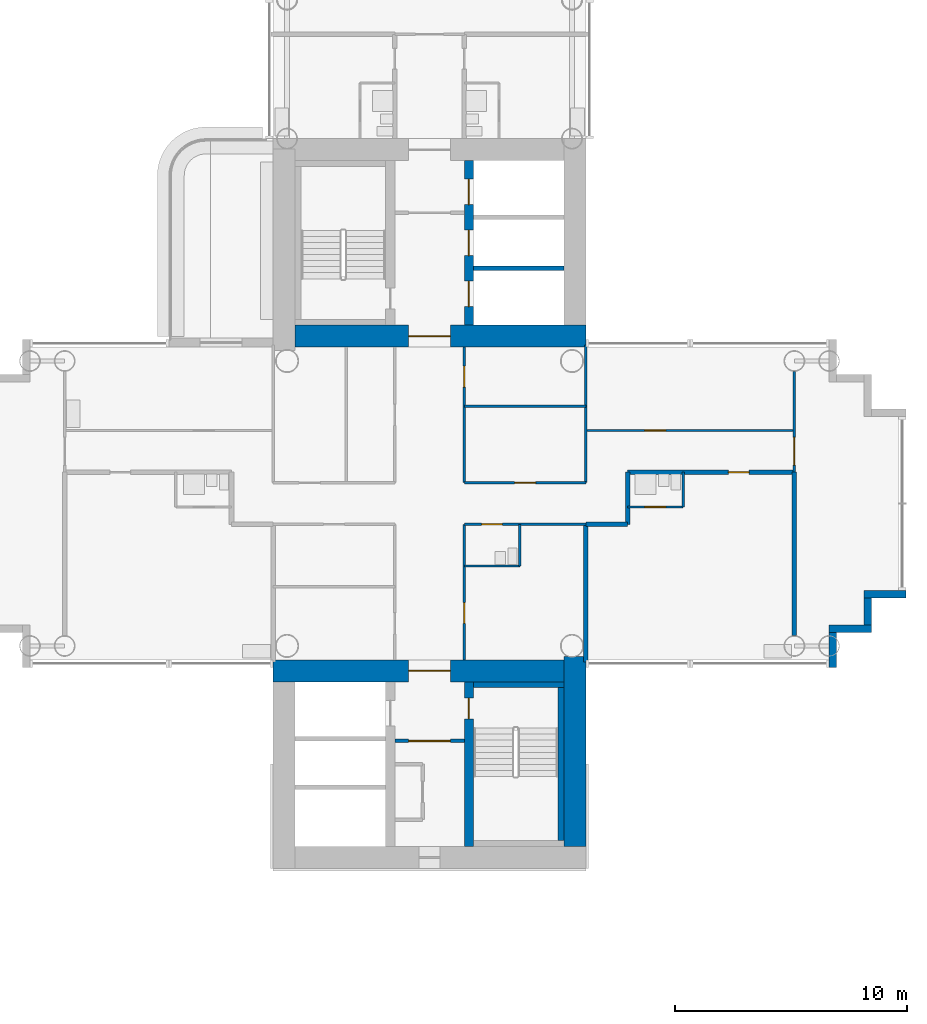
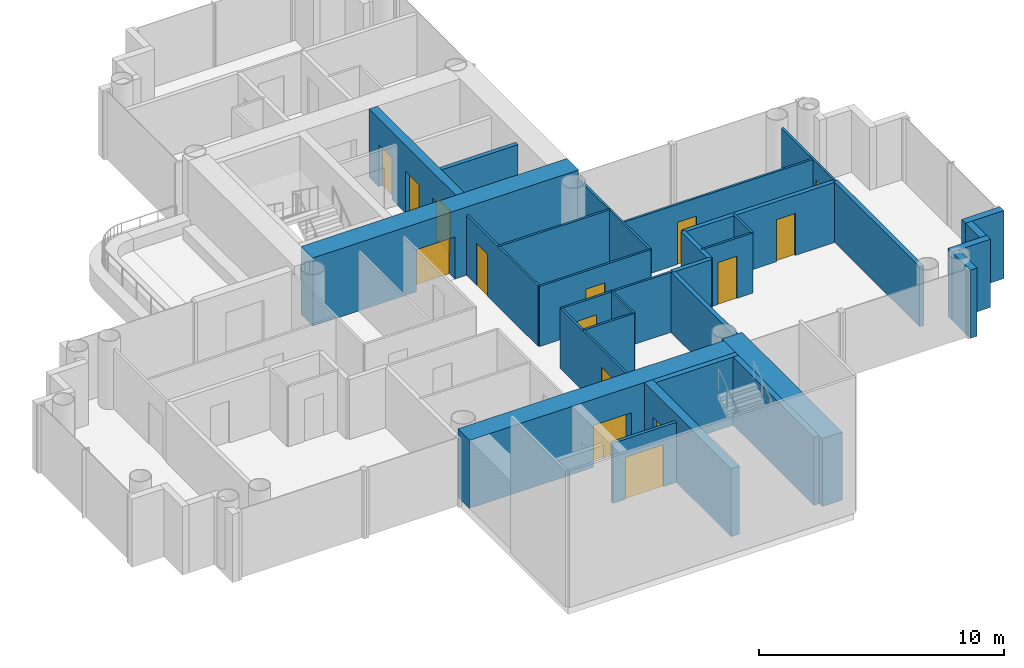
# One storey, part 13 of 21: 30 walls, 15 doors, 15 openings.
"""IFC4 building model written with IfcOpenShell, lengths in metres."""

from ifc_helpers import new_model, si_unit, direction, frame, frame_2d, origin, place, context, subcontext, project, spatial, rectangle, extrude, material, layer, layer_set, type_object, element, fill, save


model = new_model("IFC4")

# Units and contexts
model_context = context("Model", 3, precision=1e-05, world=origin(), true_north=direction((0.0, 1.0)))
body_context = subcontext(model_context, "Body", "Model", "MODEL_VIEW")
ifc_project = project(units=[si_unit("LENGTHUNIT", "METRE"), si_unit("AREAUNIT", "SQUARE_METRE"), si_unit("VOLUMEUNIT", "CUBIC_METRE"), si_unit("PLANEANGLEUNIT", "RADIAN"), si_unit("MASSUNIT", "GRAM", prefix="KILO")], contexts=[model_context])

# Site, building, storey
site_placement = place(None, origin())
site = spatial("IfcSite", under=ifc_project, at=site_placement, CompositionType="ELEMENT")
building_placement = place(site_placement, origin())
building = spatial("IfcBuilding", under=site, at=building_placement, Name="Ipe Terrace Towers", CompositionType="ELEMENT")
storey_placement = place(building_placement, frame((0.0, 0.0, 103.800048828125)))
storey = spatial("IfcBuildingStorey", under=building, at=storey_placement, Name="L28", CompositionType="ELEMENT", Elevation=103.800048828125)

# Walls
ifc_material_1 = material(Name="Concrete C40/50 with buff precast cladding", Category="concrete")
ifc_layer_1 = layer(ifc_material_1, 0.320068359375)
ifc_layer_set_1 = layer_set([ifc_layer_1], Name="BUFF CLADDING WALL 320")
wall_type_1 = type_object("IfcWallType", Name="BUFF CLADDING WALL 320", PredefinedType="STANDARD", material=ifc_layer_set_1)
wall_1_placement = place(storey_placement, frame((53.409912109375, -7.070068359375, -0.300048828125), z_axis=(0.0, 0.0, 1.0), x_axis=(0.0, 1.0, 0.0)))
element("IfcWall", 1, at=wall_1_placement, inside=storey, type_object=wall_type_1, Name="T2-W-L28-04a wall", PredefinedType="STANDARD", context=body_context, shape_type="SweptSolid", body=[
    extrude(rectangle(XDim=1.5, YDim=0.320068359375, at=frame_2d((0.75, 0.0))), origin(), (0.0, 0.0, 1.0), 3.39990234375),
])
wall_2_placement = place(storey_placement, frame((53.25, -5.409912109375, -0.300048828125), z_axis=(0.0, 0.0, 1.0), x_axis=(1.0, 0.0, 0.0)))
element("IfcWall", 2, at=wall_2_placement, inside=storey, type_object=wall_type_1, Name="T2-W-L28-05a wall", PredefinedType="STANDARD", context=body_context, shape_type="SweptSolid", body=[
    extrude(rectangle(XDim=1.820068359375, YDim=0.320068359375, at=frame_2d((0.91015625, 0.0))), origin(), (0.0, 0.0, 1.0), 3.39990234375),
])
wall_3_placement = place(storey_placement, frame((54.909912109375, -5.25, -0.300048828125), z_axis=(0.0, 0.0, 1.0), x_axis=(0.0, 1.0, 0.0)))
element("IfcWall", 3, at=wall_3_placement, inside=storey, type_object=wall_type_1, Name="T2-W-L28-06a wall", PredefinedType="STANDARD", context=body_context, shape_type="SweptSolid", body=[
    extrude(rectangle(XDim=1.179931640625, YDim=0.320068359375, at=frame_2d((0.58984375, 0.0))), origin(), (0.0, 0.0, 1.0), 3.39990234375),
])
wall_4_placement = place(storey_placement, frame((54.75, -3.909912109375, -0.300048828125), z_axis=(0.0, 0.0, 1.0), x_axis=(1.0, 0.0, 0.0)))
element("IfcWall", 4, at=wall_4_placement, inside=storey, type_object=wall_type_1, Name="T2-W-L28-07a wall", PredefinedType="STANDARD", context=body_context, shape_type="SweptSolid", body=[
    extrude(rectangle(XDim=1.820068359375, YDim=0.320068359375, at=frame_2d((0.91015625, 0.0))), origin(), (0.0, 0.0, 1.0), 3.39990234375),
])
ifc_material_2 = material(Name="Gypsum board partition", Category="plasterboard")
ifc_layer_2 = layer(ifc_material_2, 0.10009765625)
ifc_layer_set_2 = layer_set([ifc_layer_2], Name="Gypsum board partition 100 mm")
wall_type_2 = type_object("IfcWallType", Name="Gypsum board partition 100 mm", PredefinedType="PARTITIONING", material=ifc_layer_set_2)
wall_5_placement = place(storey_placement, frame((39.89990234375, -2.699951171875, 0.0), z_axis=(0.0, 0.0, 1.0), x_axis=(-1.0, 0.0, 0.0)))
element("IfcWall", 5, at=wall_5_placement, inside=storey, type_object=wall_type_2, Name="Gypsum board partition T2 L28 W02", PredefinedType="PARTITIONING", context=body_context, shape_type="SweptSolid", body=[
    extrude(rectangle(XDim=2.39990234375, YDim=0.10009765625, at=frame_2d((1.199951171875, 0.0))), origin(), (0.0, 0.0, 1.0), 3.0),
])

# Wall, opening, door
wall_6_placement = place(storey_placement, frame((42.75, -0.89990234375, 0.0), z_axis=(0.0, 0.0, 1.0), x_axis=(-1.0, 0.0, 0.0)))
wall_6 = element("IfcWall", 6, at=wall_6_placement, inside=storey, type_object=wall_type_2, Name="Gypsum board partition T2 L28 W03", PredefinedType="PARTITIONING", context=body_context, shape_type="SweptSolid", body=[
    extrude(rectangle(XDim=5.25, YDim=0.10009765625, at=frame_2d((2.625, 0.0))), origin(), (0.0, 0.0, 1.0), 3.0),
])
opening_1_placement = place(wall_6_placement, frame((3.60009765625, 0.0, 0.0)))
opening_1 = element("IfcOpeningElement", 7, at=opening_1_placement, cuts=wall_6, Name="Opening T2-Z2E-01", PredefinedType="OPENING", context=body_context, shape_type="SweptSolid", body=[
    extrude(rectangle(XDim=0.89990234375, YDim=2.10009765625, at=frame_2d((0.449951171875, 1.050048828125))), frame((0.0, 0.06005859375, 0.0), z_axis=(0.0, -1.0, 0.0), x_axis=(1.0, 0.0, 0.0)), (0.0, 0.0, 1.0), 0.1201171875),
])
ifc_material_3 = material(Name="Timber door leaf", Category="wood")
door_type_1 = type_object("IfcDoorType", Name="Bathroom door 900 x 2100", OperationType="NOTDEFINED", PredefinedType="DOOR", material=ifc_material_3)
door_1_placement = place(opening_1_placement, origin())
door_1 = element("IfcDoor", 8, at=door_1_placement, inside=storey, type_object=door_type_1, Name="Bathroom door T2-Z2E-01", OperationType="SINGLE_SWING_LEFT", OverallHeight=2.10009765625, OverallWidth=0.89990234375, PredefinedType="DOOR", context=body_context, shape_type="SweptSolid", body=[
    extrude(rectangle(XDim=0.89990234375, YDim=2.10009765625, at=frame_2d((0.449951171875, 1.050048828125))), frame((0.0, 0.02490234375, 0.0), z_axis=(0.0, -1.0, 0.0), x_axis=(1.0, 0.0, 0.0)), (0.0, 0.0, 1.0), 0.050048828125),
])
fill(opening_1, door_1)

wall_7_placement = place(storey_placement, frame((46.949951171875, -0.14990234375, 0.0), z_axis=(0.0, 0.0, 1.0), x_axis=(-1.0, 0.0, 0.0)))
wall_7 = element("IfcWall", 9, at=wall_7_placement, inside=storey, type_object=wall_type_2, Name="Gypsum board partition T2 L28 W07", PredefinedType="PARTITIONING", context=body_context, shape_type="SweptSolid", body=[
    extrude(rectangle(XDim=2.39990234375, YDim=0.10009765625, at=frame_2d((1.199951171875, 0.0))), origin(), (0.0, 0.0, 1.0), 3.0),
])
opening_2_placement = place(wall_7_placement, frame((0.75, 0.0, 0.0)))
opening_2 = element("IfcOpeningElement", 10, at=opening_2_placement, cuts=wall_7, Name="Opening T2-Z2E-15", PredefinedType="OPENING", context=body_context, shape_type="SweptSolid", body=[
    extrude(rectangle(XDim=0.89990234375, YDim=2.10009765625, at=frame_2d((0.449951171875, 1.050048828125))), frame((0.0, 0.06005859375, 0.0), z_axis=(0.0, -1.0, 0.0), x_axis=(1.0, 0.0, 0.0)), (0.0, 0.0, 1.0), 0.1201171875),
])
door_2_placement = place(opening_2_placement, origin())
door_2 = element("IfcDoor", 11, at=door_2_placement, inside=storey, type_object=door_type_1, Name="Bathroom door T2-Z2E-15", OperationType="SINGLE_SWING_RIGHT", OverallHeight=2.10009765625, OverallWidth=0.89990234375, PredefinedType="DOOR", context=body_context, shape_type="SweptSolid", body=[
    extrude(rectangle(XDim=0.89990234375, YDim=2.10009765625, at=frame_2d((0.449951171875, 1.050048828125))), frame((0.0, 0.02490234375, 0.0), z_axis=(0.0, -1.0, 0.0), x_axis=(1.0, 0.0, 0.0)), (0.0, 0.0, 1.0), 0.050048828125),
])
fill(opening_2, door_2)

wall_8_placement = place(storey_placement, frame((42.75, 0.89990234375, 0.0), z_axis=(0.0, 0.0, 1.0), x_axis=(-1.0, 0.0, 0.0)))
wall_8 = element("IfcWall", 12, at=wall_8_placement, inside=storey, type_object=wall_type_2, Name="Gypsum board partition T2 L28 W09", PredefinedType="PARTITIONING", context=body_context, shape_type="SweptSolid", body=[
    extrude(rectangle(XDim=5.25, YDim=0.10009765625, at=frame_2d((2.625, 0.0))), origin(), (0.0, 0.0, 1.0), 3.0),
])
opening_3_placement = place(wall_8_placement, frame((2.175048828125, 0.0, 0.0)))
opening_3 = element("IfcOpeningElement", 13, at=opening_3_placement, cuts=wall_8, Name="Opening T2-Z2E-07", PredefinedType="OPENING", context=body_context, shape_type="SweptSolid", body=[
    extrude(rectangle(XDim=0.89990234375, YDim=2.10009765625, at=frame_2d((0.449951171875, 1.050048828125))), frame((0.0, 0.06005859375, 0.0), z_axis=(0.0, -1.0, 0.0), x_axis=(1.0, 0.0, 0.0)), (0.0, 0.0, 1.0), 0.1201171875),
])
ifc_material_4 = material(Name="Timber door leaf", Category="wood")
door_type_2 = type_object("IfcDoorType", Name="Lounge door 900 x 2100", OperationType="NOTDEFINED", PredefinedType="DOOR", material=ifc_material_4)
door_3_placement = place(opening_3_placement, origin())
door_3 = element("IfcDoor", 14, at=door_3_placement, inside=storey, type_object=door_type_2, Name="Lounge door T2-Z2E-07", OperationType="SINGLE_SWING_RIGHT", OverallHeight=2.10009765625, OverallWidth=0.89990234375, PredefinedType="DOOR", context=body_context, shape_type="SweptSolid", body=[
    extrude(rectangle(XDim=0.89990234375, YDim=2.10009765625, at=frame_2d((0.449951171875, 1.050048828125))), frame((0.0, 0.02490234375, 0.0), z_axis=(0.0, -1.0, 0.0), x_axis=(1.0, 0.0, 0.0)), (0.0, 0.0, 1.0), 0.050048828125),
])
fill(opening_3, door_3)

wall_9_placement = place(storey_placement, frame((51.75, 3.14990234375, 0.0), z_axis=(0.0, 0.0, 1.0), x_axis=(-1.0, 0.0, 0.0)))
wall_9 = element("IfcWall", 15, at=wall_9_placement, inside=storey, type_object=wall_type_2, Name="Gypsum board partition T2 L28 W13", PredefinedType="PARTITIONING", context=body_context, shape_type="SweptSolid", body=[
    extrude(rectangle(XDim=9.0, YDim=0.10009765625, at=frame_2d((4.5, 0.0))), origin(), (0.0, 0.0, 1.0), 3.0),
])
opening_4_placement = place(wall_9_placement, frame((5.550048828125, 0.0, 0.0)))
opening_4 = element("IfcOpeningElement", 16, at=opening_4_placement, cuts=wall_9, Name="Opening T2-Z2E-13", PredefinedType="OPENING", context=body_context, shape_type="SweptSolid", body=[
    extrude(rectangle(XDim=0.89990234375, YDim=2.10009765625, at=frame_2d((0.449951171875, 1.050048828125))), frame((0.0, 0.06005859375, 0.0), z_axis=(0.0, -1.0, 0.0), x_axis=(1.0, 0.0, 0.0)), (0.0, 0.0, 1.0), 0.1201171875),
])
door_4_placement = place(opening_4_placement, origin())
door_4 = element("IfcDoor", 17, at=door_4_placement, inside=storey, type_object=door_type_2, Name="Lounge door T2-Z2E-13", OperationType="SINGLE_SWING_RIGHT", OverallHeight=2.10009765625, OverallWidth=0.89990234375, PredefinedType="DOOR", context=body_context, shape_type="SweptSolid", body=[
    extrude(rectangle(XDim=0.89990234375, YDim=2.10009765625, at=frame_2d((0.449951171875, 1.050048828125))), frame((0.0, 0.02490234375, 0.0), z_axis=(0.0, -1.0, 0.0), x_axis=(1.0, 0.0, 0.0)), (0.0, 0.0, 1.0), 0.050048828125),
])
fill(opening_4, door_4)

# Wall
wall_10_placement = place(storey_placement, frame((42.75, 4.199951171875, 0.0), z_axis=(0.0, 0.0, 1.0), x_axis=(-1.0, 0.0, 0.0)))
element("IfcWall", 18, at=wall_10_placement, inside=storey, type_object=wall_type_2, Name="Gypsum board partition T2 L28 W15", PredefinedType="PARTITIONING", context=body_context, shape_type="SweptSolid", body=[
    extrude(rectangle(XDim=5.25, YDim=0.10009765625, at=frame_2d((2.625, 0.0))), origin(), (0.0, 0.0, 1.0), 3.0),
])

# Wall, opening, door
wall_11_placement = place(storey_placement, frame((51.75, 1.35009765625, 0.0), z_axis=(0.0, 0.0, 1.0), x_axis=(0.0, 1.0, 0.0)))
wall_11 = element("IfcWall", 19, at=wall_11_placement, inside=storey, type_object=wall_type_2, Name="Gypsum board partition T2 L28 W21", PredefinedType="PARTITIONING", context=body_context, shape_type="SweptSolid", body=[
    extrude(rectangle(XDim=4.349853515625, YDim=0.10009765625, at=frame_2d((2.1748046875, 0.0))), origin(), (0.0, 0.0, 1.0), 3.0),
])
opening_5_placement = place(wall_11_placement, frame((0.300048828125, 0.0, 0.0)))
opening_5 = element("IfcOpeningElement", 20, at=opening_5_placement, cuts=wall_11, Name="Opening T2-Z2E-16", PredefinedType="OPENING", context=body_context, shape_type="SweptSolid", body=[
    extrude(rectangle(XDim=1.199951171875, YDim=2.10009765625, at=frame_2d((0.60009765625, 1.050048828125))), frame((0.0, 0.06005859375, 0.0), z_axis=(0.0, -1.0, 0.0), x_axis=(1.0, 0.0, 0.0)), (0.0, 0.0, 1.0), 0.1201171875),
])
ifc_material_5 = material(Name="Timber door leaf", Category="wood")
door_type_3 = type_object("IfcDoorType", Name="Lounge door 1200 x 2100", OperationType="NOTDEFINED", PredefinedType="DOOR", material=ifc_material_5)
door_5_placement = place(opening_5_placement, origin())
door_5 = element("IfcDoor", 21, at=door_5_placement, inside=storey, type_object=door_type_3, Name="Lounge door T2-Z2E-16", OperationType="SINGLE_SWING_LEFT", OverallHeight=2.10009765625, OverallWidth=1.199951171875, PredefinedType="DOOR", context=body_context, shape_type="SweptSolid", body=[
    extrude(rectangle(XDim=1.199951171875, YDim=2.10009765625, at=frame_2d((0.60009765625, 1.050048828125))), frame((0.0, 0.02490234375, 0.0), z_axis=(0.0, -1.0, 0.0), x_axis=(1.0, 0.0, 0.0)), (0.0, 0.0, 1.0), 0.050048828125),
])
fill(opening_5, door_5)

# Walls
wall_12_placement = place(storey_placement, frame((46.949951171875, -0.14990234375, 0.0), z_axis=(0.0, 0.0, 1.0), x_axis=(0.0, 1.0, 0.0)))
element("IfcWall", 22, at=wall_12_placement, inside=storey, type_object=wall_type_2, Name="Gypsum board partition T2 L28 W23", PredefinedType="PARTITIONING", context=body_context, shape_type="SweptSolid", body=[
    extrude(rectangle(XDim=1.5, YDim=0.10009765625, at=frame_2d((0.75, 0.0))), origin(), (0.0, 0.0, 1.0), 3.0),
])
wall_13_placement = place(storey_placement, frame((42.75, 0.89990234375, 0.0), z_axis=(0.0, 0.0, 1.0), x_axis=(0.0, 1.0, 0.0)))
element("IfcWall", 23, at=wall_13_placement, inside=storey, type_object=wall_type_2, Name="Gypsum board partition T2 L28 W25", PredefinedType="PARTITIONING", context=body_context, shape_type="SweptSolid", body=[
    extrude(rectangle(XDim=5.9501953125, YDim=0.10009765625, at=frame_2d((2.97509765625, 0.0))), origin(), (0.0, 0.0, 1.0), 3.0),
])
wall_14_placement = place(storey_placement, frame((39.89990234375, -2.699951171875, 0.0), z_axis=(0.0, 0.0, 1.0), x_axis=(0.0, 1.0, 0.0)))
element("IfcWall", 24, at=wall_14_placement, inside=storey, type_object=wall_type_2, Name="Gypsum board partition T2 L28 W27", PredefinedType="PARTITIONING", context=body_context, shape_type="SweptSolid", body=[
    extrude(rectangle(XDim=1.800048828125, YDim=0.10009765625, at=frame_2d((0.89990234375, 0.0))), origin(), (0.0, 0.0, 1.0), 3.0),
])

# Wall, opening, door
wall_15_placement = place(storey_placement, frame((37.5, -6.75, 0.0), z_axis=(0.0, 0.0, 1.0), x_axis=(0.0, 1.0, 0.0)))
wall_15 = element("IfcWall", 25, at=wall_15_placement, inside=storey, type_object=wall_type_2, Name="Gypsum board partition T2 L28 W29", PredefinedType="PARTITIONING", context=body_context, shape_type="SweptSolid", body=[
    extrude(rectangle(XDim=5.85009765625, YDim=0.10009765625, at=frame_2d((2.925048828125, 0.0))), origin(), (0.0, 0.0, 1.0), 3.0),
])
opening_6_placement = place(wall_15_placement, frame((1.574951171875, 0.0, 0.0)))
opening_6 = element("IfcOpeningElement", 26, at=opening_6_placement, cuts=wall_15, Name="Opening T2-Z2E-06", PredefinedType="OPENING", context=body_context, shape_type="SweptSolid", body=[
    extrude(rectangle(XDim=0.89990234375, YDim=2.10009765625, at=frame_2d((0.449951171875, 1.050048828125))), frame((0.0, 0.06005859375, 0.0), z_axis=(0.0, -1.0, 0.0), x_axis=(1.0, 0.0, 0.0)), (0.0, 0.0, 1.0), 0.1201171875),
])
door_6_placement = place(opening_6_placement, origin())
door_6 = element("IfcDoor", 27, at=door_6_placement, inside=storey, type_object=door_type_2, Name="Lounge door T2-Z2E-06", OperationType="SINGLE_SWING_LEFT", OverallHeight=2.10009765625, OverallWidth=0.89990234375, PredefinedType="DOOR", context=body_context, shape_type="SweptSolid", body=[
    extrude(rectangle(XDim=0.89990234375, YDim=2.10009765625, at=frame_2d((0.449951171875, 1.050048828125))), frame((0.0, 0.02490234375, 0.0), z_axis=(0.0, -1.0, 0.0), x_axis=(1.0, 0.0, 0.0)), (0.0, 0.0, 1.0), 0.050048828125),
])
fill(opening_6, door_6)

wall_16_placement = place(storey_placement, frame((37.5, 0.89990234375, 0.0), z_axis=(0.0, 0.0, 1.0), x_axis=(0.0, 1.0, 0.0)))
wall_16 = element("IfcWall", 28, at=wall_16_placement, inside=storey, type_object=wall_type_2, Name="Gypsum board partition T2 L28 W30", PredefinedType="PARTITIONING", context=body_context, shape_type="SweptSolid", body=[
    extrude(rectangle(XDim=5.85009765625, YDim=0.10009765625, at=frame_2d((2.925048828125, 0.0))), origin(), (0.0, 0.0, 1.0), 3.0),
])
opening_7_placement = place(wall_16_placement, frame((4.125, 0.0, 0.0)))
opening_7 = element("IfcOpeningElement", 29, at=opening_7_placement, cuts=wall_16, Name="Opening T2-Z2E-08", PredefinedType="OPENING", context=body_context, shape_type="SweptSolid", body=[
    extrude(rectangle(XDim=0.89990234375, YDim=2.10009765625, at=frame_2d((0.449951171875, 1.050048828125))), frame((0.0, 0.06005859375, 0.0), z_axis=(0.0, -1.0, 0.0), x_axis=(1.0, 0.0, 0.0)), (0.0, 0.0, 1.0), 0.1201171875),
])
door_7_placement = place(opening_7_placement, origin())
door_7 = element("IfcDoor", 30, at=door_7_placement, inside=storey, type_object=door_type_2, Name="Lounge door T2-Z2E-08", OperationType="SINGLE_SWING_RIGHT", OverallHeight=2.10009765625, OverallWidth=0.89990234375, PredefinedType="DOOR", context=body_context, shape_type="SweptSolid", body=[
    extrude(rectangle(XDim=0.89990234375, YDim=2.10009765625, at=frame_2d((0.449951171875, 1.050048828125))), frame((0.0, 0.02490234375, 0.0), z_axis=(0.0, -1.0, 0.0), x_axis=(1.0, 0.0, 0.0)), (0.0, 0.0, 1.0), 0.050048828125),
])
fill(opening_7, door_7)

ifc_material_6 = material(Name="Gypsum board partition", Category="plasterboard")
ifc_layer_3 = layer(ifc_material_6, 0.14990234375)
ifc_layer_set_3 = layer_set([ifc_layer_3], Name="Gypsum board partition 150 mm")
wall_type_3 = type_object("IfcWallType", Name="Gypsum board partition 150 mm", PredefinedType="PARTITIONING", material=ifc_layer_set_3)
wall_17_placement = place(storey_placement, frame((34.5, -10.25, 0.0), z_axis=(0.0, 0.0, 1.0), x_axis=(1.0, 0.0, 0.0)))
wall_17 = element("IfcWall", 31, at=wall_17_placement, inside=storey, type_object=wall_type_3, Name="Gypsum board partition T2 L28 t2c2-lobby-wall", PredefinedType="PARTITIONING", context=body_context, shape_type="SweptSolid", body=[
    extrude(rectangle(XDim=3.0, YDim=0.14990234375, at=frame_2d((1.5, 0.0))), origin(), (0.0, 0.0, 1.0), 3.0),
])
opening_8_placement = place(wall_17_placement, frame((0.60009765625, 0.0, 0.0)))
opening_8 = element("IfcOpeningElement", 32, at=opening_8_placement, cuts=wall_17, Name="Opening T2C2-VD", PredefinedType="OPENING", context=body_context, shape_type="SweptSolid", body=[
    extrude(rectangle(XDim=1.800048828125, YDim=2.10009765625, at=frame_2d((0.89990234375, 1.050048828125))), frame((0.0, 0.0849609375, 0.0), z_axis=(0.0, -1.0, 0.0), x_axis=(1.0, 0.0, 0.0)), (0.0, 0.0, 1.0), 0.169921875),
])
ifc_material_7 = material(Name="Fire-rated timber door leaf", Category="wood")
door_type_4 = type_object("IfcDoorType", Name="Lobby door 1800 x 2100 FD60", OperationType="NOTDEFINED", PredefinedType="DOOR", material=ifc_material_7)
door_8_placement = place(opening_8_placement, origin())
door_8 = element("IfcDoor", 33, at=door_8_placement, inside=storey, type_object=door_type_4, Name="Lobby door T2C2-VD", OperationType="SINGLE_SWING_LEFT", OverallHeight=2.10009765625, OverallWidth=1.800048828125, PredefinedType="DOOR", context=body_context, shape_type="SweptSolid", body=[
    extrude(rectangle(XDim=1.800048828125, YDim=2.10009765625, at=frame_2d((0.89990234375, 1.050048828125))), frame((0.0, 0.02490234375, 0.0), z_axis=(0.0, -1.0, 0.0), x_axis=(1.0, 0.0, 0.0)), (0.0, 0.0, 1.0), 0.050048828125),
])
fill(opening_8, door_8)

# Walls
ifc_material_8 = material(Name="Gypsum board party wall", Category="plasterboard")
ifc_layer_4 = layer(ifc_material_8, 0.199951171875)
ifc_layer_set_4 = layer_set([ifc_layer_4], Name="Gypsum board party wall 200 mm")
wall_type_4 = type_object("IfcWallType", Name="Gypsum board party wall 200 mm", PredefinedType="SOLIDWALL", material=ifc_layer_set_4)
wall_18_placement = place(storey_placement, frame((41.800048828125, 10.14990234375, 0.0), z_axis=(0.0, 0.0, 1.0), x_axis=(-1.0, 0.0, 0.0)))
element("IfcWall", 34, at=wall_18_placement, inside=storey, type_object=wall_type_4, Name="Gypsum board party wall T2 L28 t2c1-shaft-div1", PredefinedType="SOLIDWALL", context=body_context, shape_type="SweptSolid", body=[
    extrude(rectangle(XDim=3.900146484375, YDim=0.199951171875, at=frame_2d((1.9501953125, 0.0))), origin(), (0.0, 0.0, 1.0), 3.0),
])
wall_19_placement = place(storey_placement, frame((44.550048828125, -0.89990234375, 0.0), z_axis=(0.0, 0.0, 1.0), x_axis=(-1.0, 0.0, 0.0)))
element("IfcWall", 35, at=wall_19_placement, inside=storey, type_object=wall_type_4, Name="Gypsum board party wall T2 L28 W05", PredefinedType="SOLIDWALL", context=body_context, shape_type="SweptSolid", body=[
    extrude(rectangle(XDim=1.800048828125, YDim=0.199951171875, at=frame_2d((0.89990234375, 0.0))), origin(), (0.0, 0.0, 1.0), 3.0),
])

# Wall, opening, door
wall_20_placement = place(storey_placement, frame((51.75, 1.35009765625, 0.0), z_axis=(0.0, 0.0, 1.0), x_axis=(-1.0, 0.0, 0.0)))
wall_20 = element("IfcWall", 36, at=wall_20_placement, inside=storey, type_object=wall_type_4, Name="Gypsum board party wall T2 L28 W11", PredefinedType="SOLIDWALL", context=body_context, shape_type="SweptSolid", body=[
    extrude(rectangle(XDim=7.199951171875, YDim=0.199951171875, at=frame_2d((3.60009765625, 0.0))), origin(), (0.0, 0.0, 1.0), 3.0),
])
opening_9_placement = place(wall_20_placement, frame((1.949951171875, 0.0, 0.0)))
opening_9 = element("IfcOpeningElement", 37, at=opening_9_placement, cuts=wall_20, Name="Opening T2-Z2E-14", PredefinedType="OPENING", context=body_context, shape_type="SweptSolid", body=[
    extrude(rectangle(XDim=0.89990234375, YDim=2.10009765625, at=frame_2d((0.449951171875, 1.050048828125))), frame((0.0, 0.10986328125, 0.0), z_axis=(0.0, -1.0, 0.0), x_axis=(1.0, 0.0, 0.0)), (0.0, 0.0, 1.0), 0.219970703125),
])
ifc_material_9 = material(Name="Fire-rated timber door leaf", Category="wood")
door_type_5 = type_object("IfcDoorType", Name="Flat entrance door 900 x 2100 FD30S", OperationType="NOTDEFINED", PredefinedType="DOOR", material=ifc_material_9)
door_9_placement = place(opening_9_placement, origin())
door_9 = element("IfcDoor", 38, at=door_9_placement, inside=storey, type_object=door_type_5, Name="Flat entrance door T2-Z2E-14", OperationType="SINGLE_SWING_RIGHT", OverallHeight=2.10009765625, OverallWidth=0.89990234375, PredefinedType="DOOR", context=body_context, shape_type="SweptSolid", body=[
    extrude(rectangle(XDim=0.89990234375, YDim=2.10009765625, at=frame_2d((0.449951171875, 1.050048828125))), frame((0.0, 0.02490234375, 0.0), z_axis=(0.0, -1.0, 0.0), x_axis=(1.0, 0.0, 0.0)), (0.0, 0.0, 1.0), 0.050048828125),
])
fill(opening_9, door_9)

# Walls
wall_21_placement = place(storey_placement, frame((51.75, -5.699951171875, 0.0), z_axis=(0.0, 0.0, 1.0), x_axis=(0.0, 1.0, 0.0)))
element("IfcWall", 39, at=wall_21_placement, inside=storey, type_object=wall_type_4, Name="Gypsum board party wall T2 L28 W22", PredefinedType="SOLIDWALL", context=body_context, shape_type="SweptSolid", body=[
    extrude(rectangle(XDim=7.050048828125, YDim=0.199951171875, at=frame_2d((3.52490234375, 0.0))), origin(), (0.0, 0.0, 1.0), 3.0),
])
wall_22_placement = place(storey_placement, frame((44.550048828125, -0.89990234375, 0.0), z_axis=(0.0, 0.0, 1.0), x_axis=(0.0, 1.0, 0.0)))
element("IfcWall", 40, at=wall_22_placement, inside=storey, type_object=wall_type_4, Name="Gypsum board party wall T2 L28 W24", PredefinedType="SOLIDWALL", context=body_context, shape_type="SweptSolid", body=[
    extrude(rectangle(XDim=2.25, YDim=0.199951171875, at=frame_2d((1.125, 0.0))), origin(), (0.0, 0.0, 1.0), 3.0),
])
wall_23_placement = place(storey_placement, frame((42.75, -6.85009765625, 0.0), z_axis=(0.0, 0.0, 1.0), x_axis=(0.0, 1.0, 0.0)))
element("IfcWall", 41, at=wall_23_placement, inside=storey, type_object=wall_type_4, Name="Gypsum board party wall T2 L28 W26", PredefinedType="SOLIDWALL", context=body_context, shape_type="SweptSolid", body=[
    extrude(rectangle(XDim=5.9501953125, YDim=0.199951171875, at=frame_2d((2.97509765625, 0.0))), origin(), (0.0, 0.0, 1.0), 3.0),
])
ifc_material_10 = material(Name="Concrete C50/60", Category="concrete")
ifc_layer_5 = layer(ifc_material_10, 0.25)
ifc_layer_set_5 = layer_set([ifc_layer_5], Name="RW250 CORE INFILL WALL 250 C50-60")
wall_type_5 = type_object("IfcWallType", Name="RW250 CORE INFILL WALL 250 C50-60", PredefinedType="SHEAR", material=ifc_layer_set_5)
wall_24_placement = place(storey_placement, frame((41.675048828125, -7.949951171875, 0.0), z_axis=(0.0, 0.0, 1.0), x_axis=(0.0, -1.0, 0.0)))
element("IfcWall", 42, at=wall_24_placement, inside=storey, type_object=wall_type_5, Name="Core infill wall T2-C2-back", PredefinedType="SHEAR", context=body_context, shape_type="SweptSolid", body=[
    extrude(rectangle(XDim=6.60009765625, YDim=0.25, at=frame_2d((3.300048828125, 0.0))), origin(), (0.0, 0.0, 1.0), 3.39990234375),
])
wall_25_placement = place(storey_placement, frame((37.89990234375, -7.824951171875, 0.0), z_axis=(0.0, 0.0, 1.0), x_axis=(1.0, 0.0, 0.0)))
element("IfcWall", 43, at=wall_25_placement, inside=storey, type_object=wall_type_5, Name="Core infill wall T2-C2-near", PredefinedType="SHEAR", context=body_context, shape_type="SweptSolid", body=[
    extrude(rectangle(XDim=3.900146484375, YDim=0.25, at=frame_2d((1.9501953125, 0.0))), origin(), (0.0, 0.0, 1.0), 3.39990234375),
])

# Wall, openings, doors
ifc_material_11 = material(Name="Concrete C50/60", Category="concrete")
ifc_layer_6 = layer(ifc_material_11, 0.39990234375)
ifc_layer_set_6 = layer_set([ifc_layer_6], Name="RW400 CORE SPINE WALL 400 C50-60")
wall_type_6 = type_object("IfcWallType", Name="RW400 CORE SPINE WALL 400 C50-60", PredefinedType="SHEAR", material=ifc_layer_set_6)
wall_26_placement = place(storey_placement, frame((37.699951171875, 7.699951171875, 0.0), z_axis=(0.0, 0.0, 1.0), x_axis=(0.0, 1.0, 0.0)))
wall_26 = element("IfcWall", 44, at=wall_26_placement, inside=storey, type_object=wall_type_6, Name="Core spine wall T2-C1-Z2-SW2", PredefinedType="SHEAR", context=body_context, shape_type="SweptSolid", body=[
    extrude(rectangle(XDim=7.10009765625, YDim=0.39990234375, at=frame_2d((3.550048828125, 0.0))), origin(), (0.0, 0.0, 1.0), 3.39990234375),
])
opening_10_placement = place(wall_26_placement, frame((0.800048828125, 0.0, 0.0)))
opening_10 = element("IfcOpeningElement", 45, at=opening_10_placement, cuts=wall_26, Name="Opening T2C1-LD1", PredefinedType="OPENING", context=body_context, shape_type="SweptSolid", body=[
    extrude(rectangle(XDim=1.10009765625, YDim=2.10009765625, at=frame_2d((0.550048828125, 1.050048828125))), frame((0.0, 0.2099609375, 0.0), z_axis=(0.0, -1.0, 0.0), x_axis=(1.0, 0.0, 0.0)), (0.0, 0.0, 1.0), 0.419921875),
])
opening_11_placement = place(wall_26_placement, frame((3.0, 0.0, 0.0)))
opening_11 = element("IfcOpeningElement", 46, at=opening_11_placement, cuts=wall_26, Name="Opening T2C1-LD2", PredefinedType="OPENING", context=body_context, shape_type="SweptSolid", body=[
    extrude(rectangle(XDim=1.10009765625, YDim=2.10009765625, at=frame_2d((0.550048828125, 1.050048828125))), frame((0.0, 0.2099609375, 0.0), z_axis=(0.0, -1.0, 0.0), x_axis=(1.0, 0.0, 0.0)), (0.0, 0.0, 1.0), 0.419921875),
])
opening_12_placement = place(wall_26_placement, frame((5.199951171875, 0.0, 0.0)))
opening_12 = element("IfcOpeningElement", 47, at=opening_12_placement, cuts=wall_26, Name="Opening T2C1-LD3", PredefinedType="OPENING", context=body_context, shape_type="SweptSolid", body=[
    extrude(rectangle(XDim=1.10009765625, YDim=2.10009765625, at=frame_2d((0.550048828125, 1.050048828125))), frame((0.0, 0.2099609375, 0.0), z_axis=(0.0, -1.0, 0.0), x_axis=(1.0, 0.0, 0.0)), (0.0, 0.0, 1.0), 0.419921875),
])
ifc_material_12 = material(Name="Fire-rated timber door leaf", Category="wood")
door_type_6 = type_object("IfcDoorType", Name="Sliding door 1100 x 2100 FD60", OperationType="SLIDING_TO_LEFT", PredefinedType="DOOR", material=ifc_material_12)
door_10_placement = place(opening_10_placement, origin())
door_10 = element("IfcDoor", 48, at=door_10_placement, inside=storey, type_object=door_type_6, Name="Sliding door T2C1-LD1", OperationType="SLIDING_TO_LEFT", OverallHeight=2.10009765625, OverallWidth=1.10009765625, PredefinedType="DOOR", context=body_context, shape_type="SweptSolid", body=[
    extrude(rectangle(XDim=1.10009765625, YDim=2.10009765625, at=frame_2d((0.550048828125, 1.050048828125))), frame((0.0, 0.02490234375, 0.0), z_axis=(0.0, -1.0, 0.0), x_axis=(1.0, 0.0, 0.0)), (0.0, 0.0, 1.0), 0.050048828125),
])
fill(opening_10, door_10)
door_11_placement = place(opening_11_placement, origin())
door_11 = element("IfcDoor", 49, at=door_11_placement, inside=storey, type_object=door_type_6, Name="Sliding door T2C1-LD2", OperationType="SLIDING_TO_LEFT", OverallHeight=2.10009765625, OverallWidth=1.10009765625, PredefinedType="DOOR", context=body_context, shape_type="SweptSolid", body=[
    extrude(rectangle(XDim=1.10009765625, YDim=2.10009765625, at=frame_2d((0.550048828125, 1.050048828125))), frame((0.0, 0.02490234375, 0.0), z_axis=(0.0, -1.0, 0.0), x_axis=(1.0, 0.0, 0.0)), (0.0, 0.0, 1.0), 0.050048828125),
])
fill(opening_11, door_11)
door_12_placement = place(opening_12_placement, origin())
door_12 = element("IfcDoor", 50, at=door_12_placement, inside=storey, type_object=door_type_6, Name="Sliding door T2C1-LD3", OperationType="SLIDING_TO_LEFT", OverallHeight=2.10009765625, OverallWidth=1.10009765625, PredefinedType="DOOR", context=body_context, shape_type="SweptSolid", body=[
    extrude(rectangle(XDim=1.10009765625, YDim=2.10009765625, at=frame_2d((0.550048828125, 1.050048828125))), frame((0.0, 0.02490234375, 0.0), z_axis=(0.0, -1.0, 0.0), x_axis=(1.0, 0.0, 0.0)), (0.0, 0.0, 1.0), 0.050048828125),
])
fill(opening_12, door_12)

# Wall, opening, door
wall_27_placement = place(storey_placement, frame((37.699951171875, -14.800048828125, 0.0), z_axis=(0.0, 0.0, 1.0), x_axis=(0.0, 1.0, 0.0)))
wall_27 = element("IfcWall", 51, at=wall_27_placement, inside=storey, type_object=wall_type_6, Name="Core spine wall T2-C2-Z2-SW2", PredefinedType="SHEAR", context=body_context, shape_type="SweptSolid", body=[
    extrude(rectangle(XDim=7.10009765625, YDim=0.39990234375, at=frame_2d((3.550048828125, 0.0))), origin(), (0.0, 0.0, 1.0), 3.39990234375),
])
opening_13_placement = place(wall_27_placement, frame((5.5, 0.0, 0.0)))
opening_13 = element("IfcOpeningElement", 52, at=opening_13_placement, cuts=wall_27, Name="Opening T2C2-SD", PredefinedType="OPENING", context=body_context, shape_type="SweptSolid", body=[
    extrude(rectangle(XDim=0.89990234375, YDim=2.10009765625, at=frame_2d((0.449951171875, 1.050048828125))), frame((0.0, 0.2099609375, 0.0), z_axis=(0.0, -1.0, 0.0), x_axis=(1.0, 0.0, 0.0)), (0.0, 0.0, 1.0), 0.419921875),
])
ifc_material_13 = material(Name="Fire-rated timber door leaf", Category="wood")
door_type_7 = type_object("IfcDoorType", Name="Stair door 900 x 2100 FD60", OperationType="NOTDEFINED", PredefinedType="DOOR", material=ifc_material_13)
door_13_placement = place(opening_13_placement, origin())
door_13 = element("IfcDoor", 53, at=door_13_placement, inside=storey, type_object=door_type_7, Name="Stair door T2C2-SD", OperationType="SINGLE_SWING_RIGHT", OverallHeight=2.10009765625, OverallWidth=0.89990234375, PredefinedType="DOOR", context=body_context, shape_type="SweptSolid", body=[
    extrude(rectangle(XDim=0.89990234375, YDim=2.10009765625, at=frame_2d((0.449951171875, 1.050048828125))), frame((0.0, 0.02490234375, 0.0), z_axis=(0.0, -1.0, 0.0), x_axis=(1.0, 0.0, 0.0)), (0.0, 0.0, 1.0), 0.050048828125),
])
fill(opening_13, door_13)

ifc_material_14 = material(Name="Concrete C50/60", Category="concrete")
ifc_layer_7 = layer(ifc_material_14, 0.949951171875)
ifc_layer_set_7 = layer_set([ifc_layer_7], Name="RW950 CORE WALL 950 C50-60")
wall_type_7 = type_object("IfcWallType", Name="RW950 CORE WALL 950 C50-60", PredefinedType="SHEAR", material=ifc_layer_set_7)
wall_28_placement = place(storey_placement, frame((30.199951171875, 7.22509765625, 0.0), z_axis=(0.0, 0.0, 1.0), x_axis=(1.0, 0.0, 0.0)))
wall_28 = element("IfcWall", 54, at=wall_28_placement, inside=storey, type_object=wall_type_7, Name="Core wall T2-C1-Z2-W01", PredefinedType="SHEAR", context=body_context, shape_type="SweptSolid", body=[
    extrude(rectangle(XDim=12.550048828125, YDim=0.949951171875, at=frame_2d((6.27490234375, 0.0))), origin(), (0.0, 0.0, 1.0), 3.39990234375),
])
opening_14_placement = place(wall_28_placement, frame((4.89990234375, 0.0, 0.0)))
opening_14 = element("IfcOpeningElement", 55, at=opening_14_placement, cuts=wall_28, Name="Opening T2C1-ND", PredefinedType="OPENING", context=body_context, shape_type="SweptSolid", body=[
    extrude(rectangle(XDim=1.800048828125, YDim=2.10009765625, at=frame_2d((0.89990234375, 1.050048828125))), frame((0.0, 0.48486328125, 0.0), z_axis=(0.0, -1.0, 0.0), x_axis=(1.0, 0.0, 0.0)), (0.0, 0.0, 1.0), 0.969970703125),
])
ifc_material_15 = material(Name="Fire-rated timber door leaf", Category="wood")
door_type_8 = type_object("IfcDoorType", Name="Fire door 1800 x 2100 FD30S", OperationType="NOTDEFINED", PredefinedType="DOOR", material=ifc_material_15)
door_14_placement = place(opening_14_placement, origin())
door_14 = element("IfcDoor", 56, at=door_14_placement, inside=storey, type_object=door_type_8, Name="Fire door T2C1-ND", OperationType="SINGLE_SWING_LEFT", OverallHeight=2.10009765625, OverallWidth=1.800048828125, PredefinedType="DOOR", context=body_context, shape_type="SweptSolid", body=[
    extrude(rectangle(XDim=1.800048828125, YDim=2.10009765625, at=frame_2d((0.89990234375, 1.050048828125))), frame((0.0, 0.02490234375, 0.0), z_axis=(0.0, -1.0, 0.0), x_axis=(1.0, 0.0, 0.0)), (0.0, 0.0, 1.0), 0.050048828125),
])
fill(opening_14, door_14)

# Wall
wall_29_placement = place(storey_placement, frame((42.27490234375, -14.800048828125, 0.0), z_axis=(0.0, 0.0, 1.0), x_axis=(0.0, 1.0, 0.0)))
element("IfcWall", 57, at=wall_29_placement, inside=storey, type_object=wall_type_7, Name="Core wall T2-C2-Z2-W02", PredefinedType="SHEAR", context=body_context, shape_type="SweptSolid", body=[
    extrude(rectangle(XDim=8.197998046875, YDim=0.949951171875, at=frame_2d((4.09912109375, 0.0))), origin(), (0.0, 0.0, 1.0), 3.39990234375),
])

# Wall, opening, door
wall_30_placement = place(storey_placement, frame((41.800048828125, -7.22509765625, 0.0), z_axis=(0.0, 0.0, 1.0), x_axis=(-1.0, 0.0, 0.0)))
wall_30 = element("IfcWall", 58, at=wall_30_placement, inside=storey, type_object=wall_type_7, Name="Core wall T2-C2-Z2-W03", PredefinedType="SHEAR", context=body_context, shape_type="SweptSolid", body=[
    extrude(rectangle(XDim=12.550048828125, YDim=0.949951171875, at=frame_2d((6.27490234375, 0.0))), origin(), (0.0, 0.0, 1.0), 3.39990234375),
])
opening_15_placement = place(wall_30_placement, frame((4.89990234375, 0.0, 0.0)))
opening_15 = element("IfcOpeningElement", 59, at=opening_15_placement, cuts=wall_30, Name="Opening T2C2-ND", PredefinedType="OPENING", context=body_context, shape_type="SweptSolid", body=[
    extrude(rectangle(XDim=1.800048828125, YDim=2.10009765625, at=frame_2d((0.89990234375, 1.050048828125))), frame((0.0, 0.48486328125, 0.0), z_axis=(0.0, -1.0, 0.0), x_axis=(1.0, 0.0, 0.0)), (0.0, 0.0, 1.0), 0.969970703125),
])
door_15_placement = place(opening_15_placement, origin())
door_15 = element("IfcDoor", 60, at=door_15_placement, inside=storey, type_object=door_type_8, Name="Fire door T2C2-ND", OperationType="SINGLE_SWING_LEFT", OverallHeight=2.10009765625, OverallWidth=1.800048828125, PredefinedType="DOOR", context=body_context, shape_type="SweptSolid", body=[
    extrude(rectangle(XDim=1.800048828125, YDim=2.10009765625, at=frame_2d((0.89990234375, 1.050048828125))), frame((0.0, 0.02490234375, 0.0), z_axis=(0.0, -1.0, 0.0), x_axis=(1.0, 0.0, 0.0)), (0.0, 0.0, 1.0), 0.050048828125),
])
fill(opening_15, door_15)

save(model, "model.ifc")
